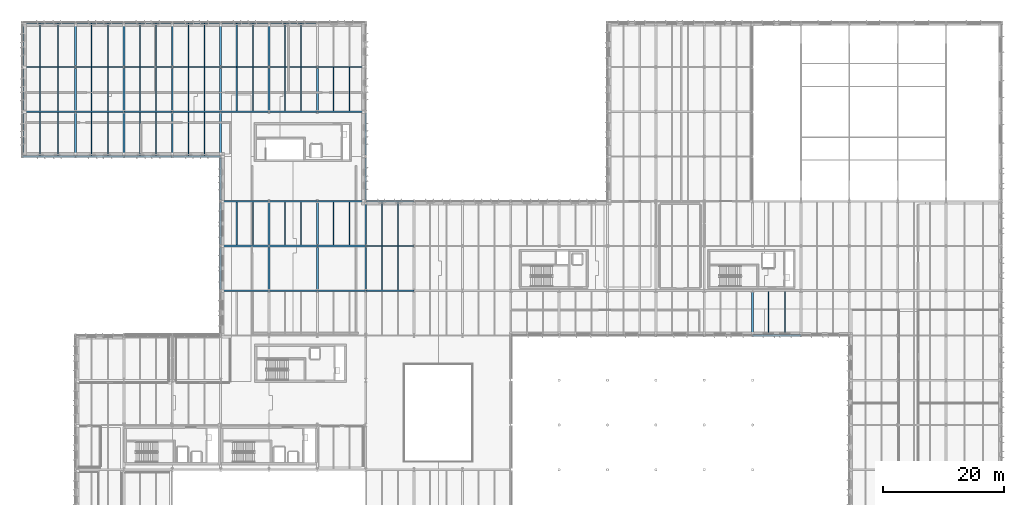
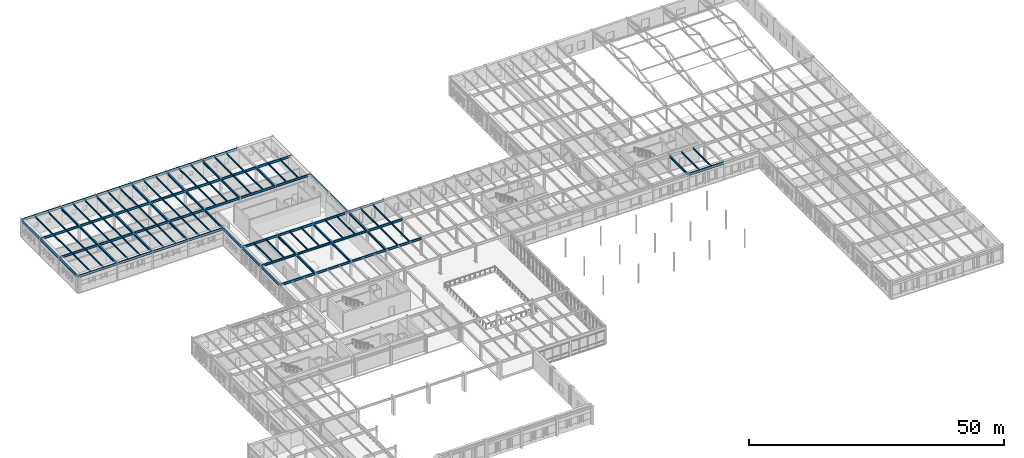
# One storey, part 24 of 75: 113 beams.
"""IFC4 building model written with IfcOpenShell, lengths in metres."""

import ifcopenshell
import ifcopenshell.guid

model = None  # the IFC model being written
_history = None  # IfcOwnerHistory: only IFC2X3 demands one
_inside = {}  # id of a spatial element -> (the spatial element, [elements in it])
_under = {}  # id of a project, library or spatial element -> (it, [spatial elements below it])
_declared = {}  # id of a project -> (the project, [libraries it declares])
_typed = {}  # id of a type object -> (the type object, [elements of that type])
_made_of = {}  # id of a material, layer set ... -> (it, [elements and type objects made of it])


def new_model(schema):
    """Start an empty IFC model of exactly this schema.

    Asked for "IFC4X3", IfcOpenShell would pick the latest addendum, in which some entities
    have other attributes; the version numbers below select the first issue.
    IFC2X3 requires an IfcOwnerHistory on every rooted entity: one is made here for all.
    """
    global model, _history
    if schema == "IFC4X3":
        model = ifcopenshell.file(schema_version=(4, 3, 0, 0))
    else:
        model = ifcopenshell.file(schema=schema)
    _inside.clear()
    _under.clear()
    _declared.clear()
    _typed.clear()
    _made_of.clear()
    _history = None
    if model.schema == "IFC2X3":
        org = make("IfcOrganization", Name="unknown")
        user = make(
            "IfcPersonAndOrganization",
            ThePerson=make("IfcPerson", FamilyName="unknown"),
            TheOrganization=org,
        )
        app = make(
            "IfcApplication",
            ApplicationDeveloper=org,
            Version="unknown",
            ApplicationFullName="unknown",
            ApplicationIdentifier="unknown",
        )
        _history = make(
            "IfcOwnerHistory",
            OwningUser=user,
            OwningApplication=app,
            ChangeAction="ADDED",
            CreationDate=0,
        )
    return model


def make(cls, **values):
    """One entity of the class cls with the attributes given. An attribute that is None is left unset."""
    return model.create_entity(
        cls, **{name: value for name, value in values.items() if value is not None}
    )


def rooted(cls, **values):
    """An entity with a GlobalId (a new one), such as an element, a storey or a relation."""
    return make(cls, GlobalId=ifcopenshell.guid.new(), OwnerHistory=_history, **values)


def si_unit(unit_type, name, prefix=None):
    """IfcSIUnit, for example si_unit("LENGTHUNIT", "METRE", prefix="MILLI")."""
    return make("IfcSIUnit", UnitType=unit_type, Prefix=prefix, Name=name)


def assignment(units):
    """IfcUnitAssignment: the units of a project."""
    return None if units is None else make("IfcUnitAssignment", Units=units)


def point(xyz):
    """IfcCartesianPoint."""
    return None if xyz is None else make("IfcCartesianPoint", Coordinates=xyz)


def direction(xyz):
    """IfcDirection."""
    return None if xyz is None else make("IfcDirection", DirectionRatios=xyz)


def frame(location, z_axis=None, x_axis=None):
    """IfcAxis2Placement3D, a coordinate frame: its origin and axes. An axis left out is left unset."""
    return make(
        "IfcAxis2Placement3D",
        Location=point(location),
        Axis=direction(z_axis),
        RefDirection=direction(x_axis),
    )


def frame_2d(location, x_axis=None):
    """IfcAxis2Placement2D, a coordinate frame in the plane: its origin and x axis."""
    return make(
        "IfcAxis2Placement2D", Location=point(location), RefDirection=direction(x_axis)
    )


def origin():
    """The frame at (0, 0, 0) with its axes left unset."""
    return frame((0.0, 0.0, 0.0))


def origin_2d():
    """The frame at (0, 0) in the plane with its x axis left unset."""
    return frame_2d((0.0, 0.0))


def place(relative_to, where):
    """IfcLocalPlacement: puts the frame where relative to a parent placement (None: the world)."""
    return make(
        "IfcLocalPlacement", PlacementRelTo=relative_to, RelativePlacement=where
    )


def context(
    kind, dimensions, precision=None, world=None, true_north=None, identifier=None
):
    """IfcGeometricRepresentationContext, for example the 3D "Model" context."""
    return make(
        "IfcGeometricRepresentationContext",
        ContextIdentifier=identifier,
        ContextType=kind,
        CoordinateSpaceDimension=dimensions,
        Precision=precision,
        WorldCoordinateSystem=world,
        TrueNorth=true_north,
    )


def subcontext(parent, identifier, kind, view, scale=None):
    """IfcGeometricRepresentationSubContext, for example "Body" below "Model"."""
    return make(
        "IfcGeometricRepresentationSubContext",
        ContextIdentifier=identifier,
        ContextType=kind,
        ParentContext=parent,
        TargetScale=scale,
        TargetView=view,
    )


def project(units=None, contexts=None):
    """IfcProject with its units and contexts."""
    return rooted(
        "IfcProject",
        Name="project",
        RepresentationContexts=contexts,
        UnitsInContext=assignment(units),
    )


def spatial(cls, under=None, at=None, **own):
    """A site, building, storey or space (cls), placed at a placement, below another one or the project."""
    s = rooted(cls, ObjectPlacement=at, **own)
    if under is not None:
        _under.setdefault(under.id(), (under, []))[1].append(s)
    return s


def profile(cls, at=None, kind="AREA", **sizes):
    """A parametric profile (cls). Its sizes go by their IFC names, for example OverallWidth=200.0."""
    return make(cls, ProfileType=kind, Position=at, **sizes)


def i_section(**sizes):
    """IfcIShapeProfileDef."""
    return profile("IfcIShapeProfileDef", **sizes)


def extrude(swept, where, along, depth):
    """IfcExtrudedAreaSolid: the profile swept, set in the frame where, extruded along a direction by depth."""
    return make(
        "IfcExtrudedAreaSolid",
        SweptArea=swept,
        Position=where,
        ExtrudedDirection=direction(along),
        Depth=depth,
    )


def shape(context_of_items, identifier, shape_type, items):
    """IfcShapeRepresentation: the items that make up one representation, for example the "Body"."""
    return make(
        "IfcShapeRepresentation",
        ContextOfItems=context_of_items,
        RepresentationIdentifier=identifier,
        RepresentationType=shape_type,
        Items=items,
    )


def material(Name=None, Category=None):
    """IfcMaterial."""
    return make("IfcMaterial", Name=Name, Category=Category)


def material_profile(
    of_material, cross_section, Name=None, Category=None, Priority=None
):
    """IfcMaterialProfile: a cross section and its material."""
    return make(
        "IfcMaterialProfile",
        Name=Name,
        Material=of_material,
        Profile=cross_section,
        Priority=Priority,
        Category=Category,
    )


def profile_set(profiles, Name=None, composite=None):
    """IfcMaterialProfileSet."""
    return make(
        "IfcMaterialProfileSet",
        Name=Name,
        MaterialProfiles=profiles,
        CompositeProfile=composite,
    )


def made_of(thing, what):
    """Note that an element or type object is made of a material, layer set ...; save() writes the relation."""
    if what is not None:
        _made_of.setdefault(what.id(), (what, []))[1].append(thing)
    return thing


def type_object(cls, material=None, **own):
    """A type object (cls), such as IfcWallType, which elements share."""
    return made_of(rooted(cls, **own), material)


def element(
    cls,
    number,
    at=None,
    inside=None,
    cuts=None,
    type_object=None,
    material=None,
    context=None,
    identifier="Body",
    shape_type=None,
    held_by="IfcProductDefinitionShape",
    body=None,
    shapes=None,
    **own,
):
    """One element of the class cls, such as IfcWall. Its Tag is "e" and its number.

    at: its placement. inside: the storey or other place that contains it. cuts: it is an
    opening in that element (IfcRelVoidsElement). A single representation is given by context,
    identifier, shape_type and body (its items); several are given by shapes. held_by: the class
    of the entity that holds the representations. save() writes the other relations.
    """
    e = rooted(cls, Tag="e%d" % number, ObjectPlacement=at, **own)
    if body is not None:
        shapes = [shape(context, identifier, shape_type, body)]
    if shapes is not None:
        e.Representation = make(held_by, Representations=shapes)
    if inside is not None:
        _inside.setdefault(inside.id(), (inside, []))[1].append(e)
    if cuts is not None:
        rooted(
            "IfcRelVoidsElement", RelatingBuildingElement=cuts, RelatedOpeningElement=e
        )
    if type_object is not None:
        _typed.setdefault(type_object.id(), (type_object, []))[1].append(e)
    return made_of(e, material)


def aggregate(whole, parts):
    """IfcRelAggregates: a whole, such as a stair, and the parts it consists of."""
    return rooted("IfcRelAggregates", RelatingObject=whole, RelatedObjects=parts)


def save(model, path):
    """Write the relations noted so far, then the file.

    IfcRelAggregates (storeys below a building ...), IfcRelContainedInSpatialStructure (elements
    in a storey), IfcRelDefinesByType, IfcRelAssociatesMaterial and IfcRelDeclares: one each for
    every whole, place, type object, material and project.
    """
    for whole, parts in _under.values():
        aggregate(whole, parts)
    for where, things in _inside.values():
        rooted(
            "IfcRelContainedInSpatialStructure",
            RelatedElements=things,
            RelatingStructure=where,
        )
    for kind, things in _typed.values():
        rooted("IfcRelDefinesByType", RelatedObjects=things, RelatingType=kind)
    for what, things in _made_of.values():
        rooted("IfcRelAssociatesMaterial", RelatedObjects=things, RelatingMaterial=what)
    for by, libraries in _declared.values():
        rooted("IfcRelDeclares", RelatingContext=by, RelatedDefinitions=libraries)
    model.write(path)


model = new_model("IFC4")

# Units and contexts
model_context = context("Model", 3, precision=1e-05, world=origin(), true_north=direction((0.0, 1.0)))
body_context = subcontext(model_context, "Body", "Model", "MODEL_VIEW")
ifc_project = project(units=[si_unit("LENGTHUNIT", "METRE"), si_unit("AREAUNIT", "SQUARE_METRE"), si_unit("VOLUMEUNIT", "CUBIC_METRE"), si_unit("PLANEANGLEUNIT", "RADIAN"), si_unit("MASSUNIT", "GRAM", prefix="KILO")], contexts=[model_context])

# Site, building, storey
site_placement = place(None, origin())
site = spatial("IfcSite", under=ifc_project, at=site_placement, CompositionType="ELEMENT")
building_placement = place(site_placement, origin())
building = spatial("IfcBuilding", under=site, at=building_placement, Name="Valkorina Park Police Headquarters", CompositionType="ELEMENT")
storey_placement = place(building_placement, frame((0.0, 0.0, 5.39990234375)))
storey = spatial("IfcBuildingStorey", under=building, at=storey_placement, Name="L02", CompositionType="ELEMENT", Elevation=5.39990234375)

# Beams
ifc_material = material(Name="Steel S355", Category="steel")
ifc_material_profile_1 = material_profile(ifc_material, i_section(OverallWidth=0.300048828125, OverallDepth=0.489990234375, WebThickness=0.011962890625, FlangeThickness=0.02294921875, FilletRadius=0.027099609375, at=origin_2d()), Name="HEA 500")
ifc_profile_set_1 = profile_set([ifc_material_profile_1], Name="Steel S355")
beam_type_1 = type_object("IfcBeamType", Name="BM-S355-HEA500-BM", PredefinedType="BEAM", material=ifc_profile_set_1)
beam_1_placement = place(storey_placement, frame((8.800048828125, 89.02490234375, 3.97509765625), z_axis=(0.0, 1.0, 0.0), x_axis=(-1.0, 0.0, 0.0)))
element("IfcBeam", 1, at=beam_1_placement, inside=storey, type_object=beam_type_1, Name="L02 Framing Beam 1488", PredefinedType="BEAM", context=body_context, shape_type="SweptSolid", body=[
    extrude(i_section(OverallWidth=0.300048828125, OverallDepth=0.489990234375, WebThickness=0.011962890625, FlangeThickness=0.02294921875, FilletRadius=0.027099609375, at=origin_2d()), origin(), (0.0, 0.0, 1.0), 6.9501953125),
])
for number, where, z_axis, x_axis, name in (
    (2, (8.800048828125, 96.425048828125, 3.97509765625), (0.0, 1.0, 0.0), (-1.0, 0.0, 0.0), "L02 Framing Beam 1491"),
    (3, (8.800048828125, 103.824951171875, 3.97509765625), (0.0, 1.0, 0.0), (-1.0, 0.0, 0.0), "L02 Framing Beam 1494"),
):
    element("IfcBeam", number, at=place(storey_placement, frame(where, z_axis=z_axis, x_axis=x_axis)), inside=storey, type_object=beam_type_1, Name=name, PredefinedType="BEAM", context=body_context, shape_type="SweptSolid", body=[
        extrude(i_section(OverallWidth=0.300048828125, OverallDepth=0.489990234375, WebThickness=0.011962890625, FlangeThickness=0.02294921875, FilletRadius=0.027099609375, at=origin_2d()), origin(), (0.0, 0.0, 1.0), 6.949951171875),
    ])
beam_2_placement = place(storey_placement, frame((16.800048828125, 89.02490234375, 3.97509765625), z_axis=(0.0, 1.0, 0.0), x_axis=(-1.0, 0.0, 0.0)))
element("IfcBeam", 4, at=beam_2_placement, inside=storey, type_object=beam_type_1, Name="L02 Framing Beam 1516", PredefinedType="BEAM", context=body_context, shape_type="SweptSolid", body=[
    extrude(i_section(OverallWidth=0.300048828125, OverallDepth=0.489990234375, WebThickness=0.011962890625, FlangeThickness=0.02294921875, FilletRadius=0.027099609375, at=origin_2d()), origin(), (0.0, 0.0, 1.0), 6.9501953125),
])
for number, where, z_axis, x_axis, name in (
    (5, (16.800048828125, 96.425048828125, 3.97509765625), (0.0, 1.0, 0.0), (-1.0, 0.0, 0.0), "L02 Framing Beam 1519"),
    (6, (16.800048828125, 103.824951171875, 3.97509765625), (0.0, 1.0, 0.0), (-1.0, 0.0, 0.0), "L02 Framing Beam 1522"),
):
    element("IfcBeam", number, at=place(storey_placement, frame(where, z_axis=z_axis, x_axis=x_axis)), inside=storey, type_object=beam_type_1, Name=name, PredefinedType="BEAM", context=body_context, shape_type="SweptSolid", body=[
        extrude(i_section(OverallWidth=0.300048828125, OverallDepth=0.489990234375, WebThickness=0.011962890625, FlangeThickness=0.02294921875, FilletRadius=0.027099609375, at=origin_2d()), origin(), (0.0, 0.0, 1.0), 6.949951171875),
    ])
beam_3_placement = place(storey_placement, frame((24.800048828125, 89.02490234375, 3.97509765625), z_axis=(0.0, 1.0, 0.0), x_axis=(-1.0, 0.0, 0.0)))
element("IfcBeam", 7, at=beam_3_placement, inside=storey, type_object=beam_type_1, Name="L02 Framing Beam 1533", PredefinedType="BEAM", context=body_context, shape_type="SweptSolid", body=[
    extrude(i_section(OverallWidth=0.300048828125, OverallDepth=0.489990234375, WebThickness=0.011962890625, FlangeThickness=0.02294921875, FilletRadius=0.027099609375, at=origin_2d()), origin(), (0.0, 0.0, 1.0), 6.9501953125),
])
for number, where, z_axis, x_axis, name in (
    (8, (24.800048828125, 96.425048828125, 3.97509765625), (0.0, 1.0, 0.0), (-1.0, 0.0, 0.0), "L02 Framing Beam 1536"),
    (9, (24.800048828125, 103.824951171875, 3.97509765625), (0.0, 1.0, 0.0), (-1.0, 0.0, 0.0), "L02 Framing Beam 1539"),
):
    element("IfcBeam", number, at=place(storey_placement, frame(where, z_axis=z_axis, x_axis=x_axis)), inside=storey, type_object=beam_type_1, Name=name, PredefinedType="BEAM", context=body_context, shape_type="SweptSolid", body=[
        extrude(i_section(OverallWidth=0.300048828125, OverallDepth=0.489990234375, WebThickness=0.011962890625, FlangeThickness=0.02294921875, FilletRadius=0.027099609375, at=origin_2d()), origin(), (0.0, 0.0, 1.0), 6.949951171875),
    ])
beam_4_placement = place(storey_placement, frame((32.800048828125, 89.02490234375, 3.97509765625), z_axis=(0.0, 1.0, 0.0), x_axis=(-1.0, 0.0, 0.0)))
element("IfcBeam", 10, at=beam_4_placement, inside=storey, type_object=beam_type_1, Name="L02 Framing Beam 1553", PredefinedType="BEAM", context=body_context, shape_type="SweptSolid", body=[
    extrude(i_section(OverallWidth=0.300048828125, OverallDepth=0.489990234375, WebThickness=0.011962890625, FlangeThickness=0.02294921875, FilletRadius=0.027099609375, at=origin_2d()), origin(), (0.0, 0.0, 1.0), 6.9501953125),
])
for number, where, z_axis, x_axis, name in (
    (11, (32.800048828125, 96.425048828125, 3.97509765625), (0.0, 1.0, 0.0), (-1.0, 0.0, 0.0), "L02 Framing Beam 1554"),
    (12, (32.800048828125, 103.824951171875, 3.97509765625), (0.0, 1.0, 0.0), (-1.0, 0.0, 0.0), "L02 Framing Beam 1557"),
    (13, (40.800048828125, 66.824951171875, 3.925048828125), (0.0, 1.0, 0.0), (-1.0, 0.0, 0.0), "L02 Framing Beam 1563"),
    (14, (40.800048828125, 74.22509765625, 3.97509765625), (0.0, 1.0, 0.0), (-1.0, 0.0, 0.0), "L02 Framing Beam 1564"),
    (15, (40.800048828125, 96.425048828125, 3.97509765625), (0.0, 1.0, 0.0), (-1.0, 0.0, 0.0), "L02 Framing Beam 1567"),
    (16, (40.800048828125, 103.824951171875, 3.97509765625), (0.0, 1.0, 0.0), (-1.0, 0.0, 0.0), "L02 Framing Beam 1570"),
    (17, (48.800048828125, 66.824951171875, 3.925048828125), (0.0, 1.0, 0.0), (-1.0, 0.0, 0.0), "L02 Framing Beam 1579"),
    (18, (48.800048828125, 74.22509765625, 3.97509765625), (0.0, 1.0, 0.0), (-1.0, 0.0, 0.0), "L02 Framing Beam 1580"),
    (19, (48.800048828125, 96.425048828125, 3.97509765625), (0.0, 1.0, 0.0), (-1.0, 0.0, 0.0), "L02 Framing Beam 1583"),
    (20, (56.800048828125, 66.824951171875, 3.925048828125), (0.0, 1.0, 0.0), (-1.0, 0.0, 0.0), "L02 Framing Beam 1601"),
    (21, (56.800048828125, 74.22509765625, 3.97509765625), (0.0, 1.0, 0.0), (-1.0, 0.0, 0.0), "L02 Framing Beam 1604"),
    (22, (120.800048828125, 59.425048828125, 3.9951171875), (0.0, 1.0, 0.0), (-1.0, 0.0, 0.0), "L02 Framing Beam 1720"),
):
    element("IfcBeam", number, at=place(storey_placement, frame(where, z_axis=z_axis, x_axis=x_axis)), inside=storey, type_object=beam_type_1, Name=name, PredefinedType="BEAM", context=body_context, shape_type="SweptSolid", body=[
        extrude(i_section(OverallWidth=0.300048828125, OverallDepth=0.489990234375, WebThickness=0.011962890625, FlangeThickness=0.02294921875, FilletRadius=0.027099609375, at=origin_2d()), origin(), (0.0, 0.0, 1.0), 6.949951171875),
    ])
ifc_material_profile_2 = material_profile(ifc_material, i_section(OverallWidth=0.300048828125, OverallDepth=0.489990234375, WebThickness=0.011962890625, FlangeThickness=0.02294921875, FilletRadius=0.027099609375, at=origin_2d()), Name="HEA 500")
ifc_profile_set_2 = profile_set([ifc_material_profile_2], Name="Steel S355")
beam_type_2 = type_object("IfcBeamType", Name="BM-S355-HEA500-SPN", PredefinedType="SPANDREL", material=ifc_profile_set_2)
for number, where, z_axis, x_axis, name in (
    (23, (120.806884765625, 59.199951171875, 3.9951171875), (1.0, 0.0, 0.0), (0.0, 1.0, 0.0), "L02 Framing Beam 1354"),
    (24, (32.806884765625, 74.0, 3.97509765625), (1.0, 0.0, 0.0), (0.0, 1.0, 0.0), "L02 Framing Beam 1375"),
    (25, (40.806884765625, 74.0, 3.97509765625), (1.0, 0.0, 0.0), (0.0, 1.0, 0.0), "L02 Framing Beam 1376"),
    (26, (48.806884765625, 74.0, 3.97509765625), (1.0, 0.0, 0.0), (0.0, 1.0, 0.0), "L02 Framing Beam 1377"),
    (27, (56.806884765625, 81.39990234375, 3.97509765625), (1.0, 0.0, 0.0), (0.0, 1.0, 0.0), "L02 Framing Beam 1394"),
):
    element("IfcBeam", number, at=place(storey_placement, frame(where, z_axis=z_axis, x_axis=x_axis)), inside=storey, type_object=beam_type_2, Name=name, PredefinedType="SPANDREL", context=body_context, shape_type="SweptSolid", body=[
        extrude(i_section(OverallWidth=0.300048828125, OverallDepth=0.489990234375, WebThickness=0.011962890625, FlangeThickness=0.02294921875, FilletRadius=0.027099609375, at=origin_2d()), origin(), (0.0, 0.0, 1.0), 7.986083984375),
    ])
beam_5_placement = place(storey_placement, frame((0.007080078125, 88.800048828125, 3.97509765625), z_axis=(1.0, 0.0, 0.0), x_axis=(0.0, 1.0, 0.0)))
element("IfcBeam", 28, at=beam_5_placement, inside=storey, type_object=beam_type_2, Name="L02 Framing Beam 1407", PredefinedType="SPANDREL", context=body_context, shape_type="SweptSolid", body=[
    extrude(i_section(OverallWidth=0.300048828125, OverallDepth=0.489990234375, WebThickness=0.011962890625, FlangeThickness=0.02294921875, FilletRadius=0.027099609375, at=origin_2d()), origin(), (0.0, 0.0, 1.0), 8.785888671875),
])
for number, where, z_axis, x_axis, name in (
    (29, (8.806884765625, 88.800048828125, 3.97509765625), (1.0, 0.0, 0.0), (0.0, 1.0, 0.0), "L02 Framing Beam 1408"),
    (30, (16.806884765625, 88.800048828125, 3.97509765625), (1.0, 0.0, 0.0), (0.0, 1.0, 0.0), "L02 Framing Beam 1409"),
    (31, (24.806884765625, 88.800048828125, 3.97509765625), (1.0, 0.0, 0.0), (0.0, 1.0, 0.0), "L02 Framing Beam 1410"),
):
    element("IfcBeam", number, at=place(storey_placement, frame(where, z_axis=z_axis, x_axis=x_axis)), inside=storey, type_object=beam_type_2, Name=name, PredefinedType="SPANDREL", context=body_context, shape_type="SweptSolid", body=[
        extrude(i_section(OverallWidth=0.300048828125, OverallDepth=0.489990234375, WebThickness=0.011962890625, FlangeThickness=0.02294921875, FilletRadius=0.027099609375, at=origin_2d()), origin(), (0.0, 0.0, 1.0), 7.986083984375),
    ])
beam_6_placement = place(storey_placement, frame((0.007080078125, 111.0, 3.97509765625), z_axis=(1.0, 0.0, 0.0), x_axis=(0.0, 1.0, 0.0)))
element("IfcBeam", 32, at=beam_6_placement, inside=storey, type_object=beam_type_2, Name="L02 Framing Beam 1434", PredefinedType="SPANDREL", context=body_context, shape_type="SweptSolid", body=[
    extrude(i_section(OverallWidth=0.300048828125, OverallDepth=0.489990234375, WebThickness=0.011962890625, FlangeThickness=0.02294921875, FilletRadius=0.027099609375, at=origin_2d()), origin(), (0.0, 0.0, 1.0), 8.785888671875),
])
for number, where, z_axis, x_axis, name in (
    (33, (8.806884765625, 111.0, 3.97509765625), (1.0, 0.0, 0.0), (0.0, 1.0, 0.0), "L02 Framing Beam 1435"),
    (34, (16.806884765625, 111.0, 3.97509765625), (1.0, 0.0, 0.0), (0.0, 1.0, 0.0), "L02 Framing Beam 1436"),
    (35, (24.806884765625, 111.0, 3.97509765625), (1.0, 0.0, 0.0), (0.0, 1.0, 0.0), "L02 Framing Beam 1437"),
    (36, (32.806884765625, 111.0, 3.97509765625), (1.0, 0.0, 0.0), (0.0, 1.0, 0.0), "L02 Framing Beam 1438"),
    (37, (40.806884765625, 111.0, 3.97509765625), (1.0, 0.0, 0.0), (0.0, 1.0, 0.0), "L02 Framing Beam 1439"),
):
    element("IfcBeam", number, at=place(storey_placement, frame(where, z_axis=z_axis, x_axis=x_axis)), inside=storey, type_object=beam_type_2, Name=name, PredefinedType="SPANDREL", context=body_context, shape_type="SweptSolid", body=[
        extrude(i_section(OverallWidth=0.300048828125, OverallDepth=0.489990234375, WebThickness=0.011962890625, FlangeThickness=0.02294921875, FilletRadius=0.027099609375, at=origin_2d()), origin(), (0.0, 0.0, 1.0), 7.986083984375),
    ])
beam_7_placement = place(storey_placement, frame((0.0, 89.02490234375, 3.97509765625), z_axis=(0.0, 1.0, 0.0), x_axis=(-1.0, 0.0, 0.0)))
element("IfcBeam", 38, at=beam_7_placement, inside=storey, type_object=beam_type_2, Name="L02 Framing Beam 1458", PredefinedType="SPANDREL", context=body_context, shape_type="SweptSolid", body=[
    extrude(i_section(OverallWidth=0.300048828125, OverallDepth=0.489990234375, WebThickness=0.011962890625, FlangeThickness=0.02294921875, FilletRadius=0.027099609375, at=origin_2d()), origin(), (0.0, 0.0, 1.0), 6.9501953125),
])
for number, where, z_axis, x_axis, name in (
    (39, (0.0, 96.425048828125, 3.97509765625), (0.0, 1.0, 0.0), (-1.0, 0.0, 0.0), "L02 Framing Beam 1461"),
    (40, (0.0, 103.824951171875, 3.97509765625), (0.0, 1.0, 0.0), (-1.0, 0.0, 0.0), "L02 Framing Beam 1464"),
    (41, (32.800048828125, 66.824951171875, 3.925048828125), (0.0, 1.0, 0.0), (-1.0, 0.0, 0.0), "L02 Framing Beam 1548"),
    (42, (32.800048828125, 74.22509765625, 3.97509765625), (0.0, 1.0, 0.0), (-1.0, 0.0, 0.0), "L02 Framing Beam 1549"),
    (43, (32.800048828125, 81.625, 3.97509765625), (0.0, 1.0, 0.0), (-1.0, 0.0, 0.0), "L02 Framing Beam 1552"),
    (44, (56.800048828125, 81.625, 3.97509765625), (0.0, 1.0, 0.0), (-1.0, 0.0, 0.0), "L02 Framing Beam 1607"),
):
    element("IfcBeam", number, at=place(storey_placement, frame(where, z_axis=z_axis, x_axis=x_axis)), inside=storey, type_object=beam_type_2, Name=name, PredefinedType="SPANDREL", context=body_context, shape_type="SweptSolid", body=[
        extrude(i_section(OverallWidth=0.300048828125, OverallDepth=0.489990234375, WebThickness=0.011962890625, FlangeThickness=0.02294921875, FilletRadius=0.027099609375, at=origin_2d()), origin(), (0.0, 0.0, 1.0), 6.949951171875),
    ])
beam_8_placement = place(storey_placement, frame((56.800048828125, 89.02490234375, 3.97509765625), z_axis=(0.0, 1.0, 0.0), x_axis=(-1.0, 0.0, 0.0)))
element("IfcBeam", 45, at=beam_8_placement, inside=storey, type_object=beam_type_2, Name="L02 Framing Beam 1608", PredefinedType="SPANDREL", context=body_context, shape_type="SweptSolid", body=[
    extrude(i_section(OverallWidth=0.300048828125, OverallDepth=0.489990234375, WebThickness=0.011962890625, FlangeThickness=0.02294921875, FilletRadius=0.027099609375, at=origin_2d()), origin(), (0.0, 0.0, 1.0), 6.9501953125),
])
ifc_material_profile_3 = material_profile(ifc_material, i_section(OverallWidth=0.169921875, OverallDepth=0.360107421875, WebThickness=0.008056640625, FlangeThickness=0.0126953125, FilletRadius=0.01806640625, at=origin_2d()), Name="IPE 360")
ifc_profile_set_3 = profile_set([ifc_material_profile_3], Name="Steel S355")
beam_type_3 = type_object("IfcBeamType", Name="BM-S355-IPE360-JST", PredefinedType="JOIST", material=ifc_profile_set_3)
for number, where, z_axis, x_axis, name in (
    (46, (2.933349609375, 88.949951171875, 4.0400390625), (0.0, 1.0, 0.0), (-1.0, 0.0, 0.0), "L02 Framing Beam 1459"),
    (47, (5.86669921875, 88.949951171875, 4.0400390625), (0.0, 1.0, 0.0), (-1.0, 0.0, 0.0), "L02 Framing Beam 1460"),
):
    element("IfcBeam", number, at=place(storey_placement, frame(where, z_axis=z_axis, x_axis=x_axis)), inside=storey, type_object=beam_type_3, Name=name, PredefinedType="JOIST", context=body_context, shape_type="SweptSolid", body=[
        extrude(i_section(OverallWidth=0.169921875, OverallDepth=0.360107421875, WebThickness=0.008056640625, FlangeThickness=0.0126953125, FilletRadius=0.01806640625, at=origin_2d()), origin(), (0.0, 0.0, 1.0), 7.14501953125),
    ])
for number, where, z_axis, x_axis, name in (
    (48, (2.933349609375, 96.304931640625, 4.0400390625), (0.0, 1.0, 0.0), (-1.0, 0.0, 0.0), "L02 Framing Beam 1462"),
    (49, (5.86669921875, 96.304931640625, 4.0400390625), (0.0, 1.0, 0.0), (-1.0, 0.0, 0.0), "L02 Framing Beam 1463"),
):
    element("IfcBeam", number, at=place(storey_placement, frame(where, z_axis=z_axis, x_axis=x_axis)), inside=storey, type_object=beam_type_3, Name=name, PredefinedType="JOIST", context=body_context, shape_type="SweptSolid", body=[
        extrude(i_section(OverallWidth=0.169921875, OverallDepth=0.360107421875, WebThickness=0.008056640625, FlangeThickness=0.0126953125, FilletRadius=0.01806640625, at=origin_2d()), origin(), (0.0, 0.0, 1.0), 7.190185546875),
    ])
for number, where, z_axis, x_axis, name in (
    (50, (2.933349609375, 103.705078125, 4.0400390625), (0.0, 1.0, 0.0), (-1.0, 0.0, 0.0), "L02 Framing Beam 1465"),
    (51, (5.86669921875, 103.705078125, 4.0400390625), (0.0, 1.0, 0.0), (-1.0, 0.0, 0.0), "L02 Framing Beam 1466"),
    (52, (11.466796875, 88.949951171875, 4.0400390625), (0.0, 1.0, 0.0), (-1.0, 0.0, 0.0), "L02 Framing Beam 1489"),
    (53, (14.13330078125, 88.949951171875, 4.0400390625), (0.0, 1.0, 0.0), (-1.0, 0.0, 0.0), "L02 Framing Beam 1490"),
):
    element("IfcBeam", number, at=place(storey_placement, frame(where, z_axis=z_axis, x_axis=x_axis)), inside=storey, type_object=beam_type_3, Name=name, PredefinedType="JOIST", context=body_context, shape_type="SweptSolid", body=[
        extrude(i_section(OverallWidth=0.169921875, OverallDepth=0.360107421875, WebThickness=0.008056640625, FlangeThickness=0.0126953125, FilletRadius=0.01806640625, at=origin_2d()), origin(), (0.0, 0.0, 1.0), 7.14501953125),
    ])
for number, where, z_axis, x_axis, name in (
    (54, (11.466796875, 96.304931640625, 4.0400390625), (0.0, 1.0, 0.0), (-1.0, 0.0, 0.0), "L02 Framing Beam 1492"),
    (55, (14.13330078125, 96.304931640625, 4.0400390625), (0.0, 1.0, 0.0), (-1.0, 0.0, 0.0), "L02 Framing Beam 1493"),
):
    element("IfcBeam", number, at=place(storey_placement, frame(where, z_axis=z_axis, x_axis=x_axis)), inside=storey, type_object=beam_type_3, Name=name, PredefinedType="JOIST", context=body_context, shape_type="SweptSolid", body=[
        extrude(i_section(OverallWidth=0.169921875, OverallDepth=0.360107421875, WebThickness=0.008056640625, FlangeThickness=0.0126953125, FilletRadius=0.01806640625, at=origin_2d()), origin(), (0.0, 0.0, 1.0), 7.190185546875),
    ])
for number, where, z_axis, x_axis, name in (
    (56, (11.466796875, 103.705078125, 4.0400390625), (0.0, 1.0, 0.0), (-1.0, 0.0, 0.0), "L02 Framing Beam 1495"),
    (57, (14.13330078125, 103.705078125, 4.0400390625), (0.0, 1.0, 0.0), (-1.0, 0.0, 0.0), "L02 Framing Beam 1496"),
    (58, (19.466796875, 88.949951171875, 4.0400390625), (0.0, 1.0, 0.0), (-1.0, 0.0, 0.0), "L02 Framing Beam 1517"),
    (59, (22.13330078125, 88.949951171875, 4.0400390625), (0.0, 1.0, 0.0), (-1.0, 0.0, 0.0), "L02 Framing Beam 1518"),
):
    element("IfcBeam", number, at=place(storey_placement, frame(where, z_axis=z_axis, x_axis=x_axis)), inside=storey, type_object=beam_type_3, Name=name, PredefinedType="JOIST", context=body_context, shape_type="SweptSolid", body=[
        extrude(i_section(OverallWidth=0.169921875, OverallDepth=0.360107421875, WebThickness=0.008056640625, FlangeThickness=0.0126953125, FilletRadius=0.01806640625, at=origin_2d()), origin(), (0.0, 0.0, 1.0), 7.14501953125),
    ])
for number, where, z_axis, x_axis, name in (
    (60, (19.466796875, 96.304931640625, 4.0400390625), (0.0, 1.0, 0.0), (-1.0, 0.0, 0.0), "L02 Framing Beam 1520"),
    (61, (22.13330078125, 96.304931640625, 4.0400390625), (0.0, 1.0, 0.0), (-1.0, 0.0, 0.0), "L02 Framing Beam 1521"),
):
    element("IfcBeam", number, at=place(storey_placement, frame(where, z_axis=z_axis, x_axis=x_axis)), inside=storey, type_object=beam_type_3, Name=name, PredefinedType="JOIST", context=body_context, shape_type="SweptSolid", body=[
        extrude(i_section(OverallWidth=0.169921875, OverallDepth=0.360107421875, WebThickness=0.008056640625, FlangeThickness=0.0126953125, FilletRadius=0.01806640625, at=origin_2d()), origin(), (0.0, 0.0, 1.0), 7.190185546875),
    ])
for number, where, z_axis, x_axis, name in (
    (62, (19.466796875, 103.705078125, 4.0400390625), (0.0, 1.0, 0.0), (-1.0, 0.0, 0.0), "L02 Framing Beam 1523"),
    (63, (22.13330078125, 103.705078125, 4.0400390625), (0.0, 1.0, 0.0), (-1.0, 0.0, 0.0), "L02 Framing Beam 1524"),
    (64, (27.466796875, 88.949951171875, 4.0400390625), (0.0, 1.0, 0.0), (-1.0, 0.0, 0.0), "L02 Framing Beam 1534"),
    (65, (30.13330078125, 88.949951171875, 4.0400390625), (0.0, 1.0, 0.0), (-1.0, 0.0, 0.0), "L02 Framing Beam 1535"),
):
    element("IfcBeam", number, at=place(storey_placement, frame(where, z_axis=z_axis, x_axis=x_axis)), inside=storey, type_object=beam_type_3, Name=name, PredefinedType="JOIST", context=body_context, shape_type="SweptSolid", body=[
        extrude(i_section(OverallWidth=0.169921875, OverallDepth=0.360107421875, WebThickness=0.008056640625, FlangeThickness=0.0126953125, FilletRadius=0.01806640625, at=origin_2d()), origin(), (0.0, 0.0, 1.0), 7.14501953125),
    ])
for number, where, z_axis, x_axis, name in (
    (66, (27.466796875, 96.304931640625, 4.0400390625), (0.0, 1.0, 0.0), (-1.0, 0.0, 0.0), "L02 Framing Beam 1537"),
    (67, (30.13330078125, 96.304931640625, 4.0400390625), (0.0, 1.0, 0.0), (-1.0, 0.0, 0.0), "L02 Framing Beam 1538"),
):
    element("IfcBeam", number, at=place(storey_placement, frame(where, z_axis=z_axis, x_axis=x_axis)), inside=storey, type_object=beam_type_3, Name=name, PredefinedType="JOIST", context=body_context, shape_type="SweptSolid", body=[
        extrude(i_section(OverallWidth=0.169921875, OverallDepth=0.360107421875, WebThickness=0.008056640625, FlangeThickness=0.0126953125, FilletRadius=0.01806640625, at=origin_2d()), origin(), (0.0, 0.0, 1.0), 7.190185546875),
    ])
for number, where, z_axis, x_axis, name in (
    (68, (27.466796875, 103.705078125, 4.0400390625), (0.0, 1.0, 0.0), (-1.0, 0.0, 0.0), "L02 Framing Beam 1540"),
    (69, (30.13330078125, 103.705078125, 4.0400390625), (0.0, 1.0, 0.0), (-1.0, 0.0, 0.0), "L02 Framing Beam 1541"),
    (70, (35.466796875, 74.14990234375, 4.0400390625), (0.0, 1.0, 0.0), (-1.0, 0.0, 0.0), "L02 Framing Beam 1550"),
    (71, (38.13330078125, 74.14990234375, 4.0400390625), (0.0, 1.0, 0.0), (-1.0, 0.0, 0.0), "L02 Framing Beam 1551"),
):
    element("IfcBeam", number, at=place(storey_placement, frame(where, z_axis=z_axis, x_axis=x_axis)), inside=storey, type_object=beam_type_3, Name=name, PredefinedType="JOIST", context=body_context, shape_type="SweptSolid", body=[
        extrude(i_section(OverallWidth=0.169921875, OverallDepth=0.360107421875, WebThickness=0.008056640625, FlangeThickness=0.0126953125, FilletRadius=0.01806640625, at=origin_2d()), origin(), (0.0, 0.0, 1.0), 7.14501953125),
    ])
for number, where, z_axis, x_axis, name in (
    (72, (35.466796875, 96.304931640625, 4.0400390625), (0.0, 1.0, 0.0), (-1.0, 0.0, 0.0), "L02 Framing Beam 1555"),
    (73, (38.13330078125, 96.304931640625, 4.0400390625), (0.0, 1.0, 0.0), (-1.0, 0.0, 0.0), "L02 Framing Beam 1556"),
):
    element("IfcBeam", number, at=place(storey_placement, frame(where, z_axis=z_axis, x_axis=x_axis)), inside=storey, type_object=beam_type_3, Name=name, PredefinedType="JOIST", context=body_context, shape_type="SweptSolid", body=[
        extrude(i_section(OverallWidth=0.169921875, OverallDepth=0.360107421875, WebThickness=0.008056640625, FlangeThickness=0.0126953125, FilletRadius=0.01806640625, at=origin_2d()), origin(), (0.0, 0.0, 1.0), 7.190185546875),
    ])
for number, where, z_axis, x_axis, name in (
    (74, (35.466796875, 103.705078125, 4.0400390625), (0.0, 1.0, 0.0), (-1.0, 0.0, 0.0), "L02 Framing Beam 1558"),
    (75, (38.13330078125, 103.705078125, 4.0400390625), (0.0, 1.0, 0.0), (-1.0, 0.0, 0.0), "L02 Framing Beam 1559"),
    (76, (43.466796875, 74.14990234375, 4.0400390625), (0.0, 1.0, 0.0), (-1.0, 0.0, 0.0), "L02 Framing Beam 1565"),
    (77, (46.13330078125, 74.14990234375, 4.0400390625), (0.0, 1.0, 0.0), (-1.0, 0.0, 0.0), "L02 Framing Beam 1566"),
):
    element("IfcBeam", number, at=place(storey_placement, frame(where, z_axis=z_axis, x_axis=x_axis)), inside=storey, type_object=beam_type_3, Name=name, PredefinedType="JOIST", context=body_context, shape_type="SweptSolid", body=[
        extrude(i_section(OverallWidth=0.169921875, OverallDepth=0.360107421875, WebThickness=0.008056640625, FlangeThickness=0.0126953125, FilletRadius=0.01806640625, at=origin_2d()), origin(), (0.0, 0.0, 1.0), 7.14501953125),
    ])
for number, where, z_axis, x_axis, name in (
    (78, (43.466796875, 96.304931640625, 4.0400390625), (0.0, 1.0, 0.0), (-1.0, 0.0, 0.0), "L02 Framing Beam 1568"),
    (79, (46.13330078125, 96.304931640625, 4.0400390625), (0.0, 1.0, 0.0), (-1.0, 0.0, 0.0), "L02 Framing Beam 1569"),
):
    element("IfcBeam", number, at=place(storey_placement, frame(where, z_axis=z_axis, x_axis=x_axis)), inside=storey, type_object=beam_type_3, Name=name, PredefinedType="JOIST", context=body_context, shape_type="SweptSolid", body=[
        extrude(i_section(OverallWidth=0.169921875, OverallDepth=0.360107421875, WebThickness=0.008056640625, FlangeThickness=0.0126953125, FilletRadius=0.01806640625, at=origin_2d()), origin(), (0.0, 0.0, 1.0), 7.190185546875),
    ])
for number, where, z_axis, x_axis, name in (
    (80, (43.466796875, 103.705078125, 4.0400390625), (0.0, 1.0, 0.0), (-1.0, 0.0, 0.0), "L02 Framing Beam 1571"),
    (81, (46.13330078125, 103.705078125, 4.0400390625), (0.0, 1.0, 0.0), (-1.0, 0.0, 0.0), "L02 Framing Beam 1572"),
    (82, (51.466796875, 74.14990234375, 4.0400390625), (0.0, 1.0, 0.0), (-1.0, 0.0, 0.0), "L02 Framing Beam 1581"),
    (83, (54.13330078125, 74.14990234375, 4.0400390625), (0.0, 1.0, 0.0), (-1.0, 0.0, 0.0), "L02 Framing Beam 1582"),
):
    element("IfcBeam", number, at=place(storey_placement, frame(where, z_axis=z_axis, x_axis=x_axis)), inside=storey, type_object=beam_type_3, Name=name, PredefinedType="JOIST", context=body_context, shape_type="SweptSolid", body=[
        extrude(i_section(OverallWidth=0.169921875, OverallDepth=0.360107421875, WebThickness=0.008056640625, FlangeThickness=0.0126953125, FilletRadius=0.01806640625, at=origin_2d()), origin(), (0.0, 0.0, 1.0), 7.14501953125),
    ])
for number, where, z_axis, x_axis, name in (
    (84, (51.466796875, 96.304931640625, 4.0400390625), (0.0, 1.0, 0.0), (-1.0, 0.0, 0.0), "L02 Framing Beam 1584"),
    (85, (54.13330078125, 96.304931640625, 4.0400390625), (0.0, 1.0, 0.0), (-1.0, 0.0, 0.0), "L02 Framing Beam 1585"),
):
    element("IfcBeam", number, at=place(storey_placement, frame(where, z_axis=z_axis, x_axis=x_axis)), inside=storey, type_object=beam_type_3, Name=name, PredefinedType="JOIST", context=body_context, shape_type="SweptSolid", body=[
        extrude(i_section(OverallWidth=0.169921875, OverallDepth=0.360107421875, WebThickness=0.008056640625, FlangeThickness=0.0126953125, FilletRadius=0.01806640625, at=origin_2d()), origin(), (0.0, 0.0, 1.0), 7.190185546875),
    ])
for number, where, z_axis, x_axis, name in (
    (86, (59.466796875, 66.705078125, 4.06005859375), (0.0, 1.0, 0.0), (-1.0, 0.0, 0.0), "L02 Framing Beam 1602"),
    (87, (62.13330078125, 66.705078125, 4.06005859375), (0.0, 1.0, 0.0), (-1.0, 0.0, 0.0), "L02 Framing Beam 1603"),
):
    element("IfcBeam", number, at=place(storey_placement, frame(where, z_axis=z_axis, x_axis=x_axis)), inside=storey, type_object=beam_type_3, Name=name, PredefinedType="JOIST", context=body_context, shape_type="SweptSolid", body=[
        extrude(i_section(OverallWidth=0.169921875, OverallDepth=0.360107421875, WebThickness=0.008056640625, FlangeThickness=0.0126953125, FilletRadius=0.01806640625, at=origin_2d()), origin(), (0.0, 0.0, 1.0), 7.18994140625),
    ])
for number, where, z_axis, x_axis, name in (
    (88, (59.466796875, 74.10498046875, 4.06005859375), (0.0, 1.0, 0.0), (-1.0, 0.0, 0.0), "L02 Framing Beam 1605"),
    (89, (62.13330078125, 74.10498046875, 4.06005859375), (0.0, 1.0, 0.0), (-1.0, 0.0, 0.0), "L02 Framing Beam 1606"),
    (90, (123.466796875, 59.35009765625, 4.06005859375), (0.0, 1.0, 0.0), (-1.0, 0.0, 0.0), "L02 Framing Beam 1721"),
    (91, (126.13330078125, 59.35009765625, 4.06005859375), (0.0, 1.0, 0.0), (-1.0, 0.0, 0.0), "L02 Framing Beam 1722"),
):
    element("IfcBeam", number, at=place(storey_placement, frame(where, z_axis=z_axis, x_axis=x_axis)), inside=storey, type_object=beam_type_3, Name=name, PredefinedType="JOIST", context=body_context, shape_type="SweptSolid", body=[
        extrude(i_section(OverallWidth=0.169921875, OverallDepth=0.360107421875, WebThickness=0.008056640625, FlangeThickness=0.0126953125, FilletRadius=0.01806640625, at=origin_2d()), origin(), (0.0, 0.0, 1.0), 7.14501953125),
    ])
ifc_material_profile_4 = material_profile(ifc_material, i_section(OverallWidth=0.2099609375, OverallDepth=0.550048828125, WebThickness=0.010986328125, FlangeThickness=0.01708984375, FilletRadius=0.02392578125, at=origin_2d()), Name="IPE 550")
ifc_profile_set_4 = profile_set([ifc_material_profile_4], Name="Steel S355")
beam_type_4 = type_object("IfcBeamType", Name="BM-S355-IPE550-BM", PredefinedType="BEAM", material=ifc_profile_set_4)
for number, where, z_axis, x_axis, name in (
    (92, (32.806884765625, 66.60009765625, 3.89501953125), (1.0, 0.0, 0.0), (0.0, 1.0, 0.0), "L02 Framing Beam 1359"),
    (93, (40.806884765625, 66.60009765625, 3.89501953125), (1.0, 0.0, 0.0), (0.0, 1.0, 0.0), "L02 Framing Beam 1360"),
    (94, (48.806884765625, 66.60009765625, 3.89501953125), (1.0, 0.0, 0.0), (0.0, 1.0, 0.0), "L02 Framing Beam 1361"),
    (95, (56.806884765625, 66.60009765625, 3.89501953125), (1.0, 0.0, 0.0), (0.0, 1.0, 0.0), "L02 Framing Beam 1362"),
    (96, (56.806884765625, 74.0, 3.945068359375), (1.0, 0.0, 0.0), (0.0, 1.0, 0.0), "L02 Framing Beam 1378"),
    (97, (32.806884765625, 81.39990234375, 3.945068359375), (1.0, 0.0, 0.0), (0.0, 1.0, 0.0), "L02 Framing Beam 1391"),
    (98, (40.806884765625, 81.39990234375, 3.945068359375), (1.0, 0.0, 0.0), (0.0, 1.0, 0.0), "L02 Framing Beam 1392"),
    (99, (48.806884765625, 81.39990234375, 3.945068359375), (1.0, 0.0, 0.0), (0.0, 1.0, 0.0), "L02 Framing Beam 1393"),
):
    element("IfcBeam", number, at=place(storey_placement, frame(where, z_axis=z_axis, x_axis=x_axis)), inside=storey, type_object=beam_type_4, Name=name, PredefinedType="BEAM", context=body_context, shape_type="SweptSolid", body=[
        extrude(i_section(OverallWidth=0.2099609375, OverallDepth=0.550048828125, WebThickness=0.010986328125, FlangeThickness=0.01708984375, FilletRadius=0.02392578125, at=origin_2d()), origin(), (0.0, 0.0, 1.0), 7.986083984375),
    ])
beam_9_placement = place(storey_placement, frame((0.007080078125, 96.199951171875, 3.945068359375), z_axis=(1.0, 0.0, 0.0), x_axis=(0.0, 1.0, 0.0)))
element("IfcBeam", 100, at=beam_9_placement, inside=storey, type_object=beam_type_4, Name="L02 Framing Beam 1414", PredefinedType="BEAM", context=body_context, shape_type="SweptSolid", body=[
    extrude(i_section(OverallWidth=0.2099609375, OverallDepth=0.550048828125, WebThickness=0.010986328125, FlangeThickness=0.01708984375, FilletRadius=0.02392578125, at=origin_2d()), origin(), (0.0, 0.0, 1.0), 8.785888671875),
])
for number, where, z_axis, x_axis, name in (
    (101, (8.806884765625, 96.199951171875, 3.945068359375), (1.0, 0.0, 0.0), (0.0, 1.0, 0.0), "L02 Framing Beam 1415"),
    (102, (16.806884765625, 96.199951171875, 3.945068359375), (1.0, 0.0, 0.0), (0.0, 1.0, 0.0), "L02 Framing Beam 1416"),
    (103, (24.806884765625, 96.199951171875, 3.945068359375), (1.0, 0.0, 0.0), (0.0, 1.0, 0.0), "L02 Framing Beam 1417"),
    (104, (32.806884765625, 96.199951171875, 3.945068359375), (1.0, 0.0, 0.0), (0.0, 1.0, 0.0), "L02 Framing Beam 1418"),
    (105, (40.806884765625, 96.199951171875, 3.945068359375), (1.0, 0.0, 0.0), (0.0, 1.0, 0.0), "L02 Framing Beam 1419"),
    (106, (48.806884765625, 96.199951171875, 3.945068359375), (1.0, 0.0, 0.0), (0.0, 1.0, 0.0), "L02 Framing Beam 1420"),
):
    element("IfcBeam", number, at=place(storey_placement, frame(where, z_axis=z_axis, x_axis=x_axis)), inside=storey, type_object=beam_type_4, Name=name, PredefinedType="BEAM", context=body_context, shape_type="SweptSolid", body=[
        extrude(i_section(OverallWidth=0.2099609375, OverallDepth=0.550048828125, WebThickness=0.010986328125, FlangeThickness=0.01708984375, FilletRadius=0.02392578125, at=origin_2d()), origin(), (0.0, 0.0, 1.0), 7.986083984375),
    ])
beam_10_placement = place(storey_placement, frame((0.007080078125, 103.60009765625, 3.945068359375), z_axis=(1.0, 0.0, 0.0), x_axis=(0.0, 1.0, 0.0)))
element("IfcBeam", 107, at=beam_10_placement, inside=storey, type_object=beam_type_4, Name="L02 Framing Beam 1424", PredefinedType="BEAM", context=body_context, shape_type="SweptSolid", body=[
    extrude(i_section(OverallWidth=0.2099609375, OverallDepth=0.550048828125, WebThickness=0.010986328125, FlangeThickness=0.01708984375, FilletRadius=0.02392578125, at=origin_2d()), origin(), (0.0, 0.0, 1.0), 8.785888671875),
])
for number, where, z_axis, x_axis, name in (
    (108, (8.806884765625, 103.60009765625, 3.945068359375), (1.0, 0.0, 0.0), (0.0, 1.0, 0.0), "L02 Framing Beam 1425"),
    (109, (16.806884765625, 103.60009765625, 3.945068359375), (1.0, 0.0, 0.0), (0.0, 1.0, 0.0), "L02 Framing Beam 1426"),
    (110, (24.806884765625, 103.60009765625, 3.945068359375), (1.0, 0.0, 0.0), (0.0, 1.0, 0.0), "L02 Framing Beam 1427"),
    (111, (32.806884765625, 103.60009765625, 3.945068359375), (1.0, 0.0, 0.0), (0.0, 1.0, 0.0), "L02 Framing Beam 1428"),
    (112, (40.806884765625, 103.60009765625, 3.945068359375), (1.0, 0.0, 0.0), (0.0, 1.0, 0.0), "L02 Framing Beam 1429"),
    (113, (48.806884765625, 103.60009765625, 3.945068359375), (1.0, 0.0, 0.0), (0.0, 1.0, 0.0), "L02 Framing Beam 1430"),
):
    element("IfcBeam", number, at=place(storey_placement, frame(where, z_axis=z_axis, x_axis=x_axis)), inside=storey, type_object=beam_type_4, Name=name, PredefinedType="BEAM", context=body_context, shape_type="SweptSolid", body=[
        extrude(i_section(OverallWidth=0.2099609375, OverallDepth=0.550048828125, WebThickness=0.010986328125, FlangeThickness=0.01708984375, FilletRadius=0.02392578125, at=origin_2d()), origin(), (0.0, 0.0, 1.0), 7.986083984375),
    ])

save(model, "model.ifc")
